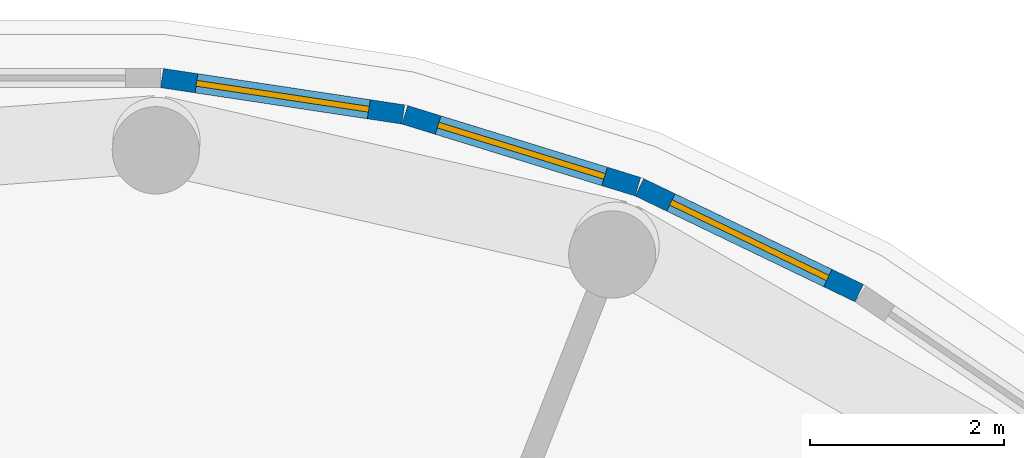
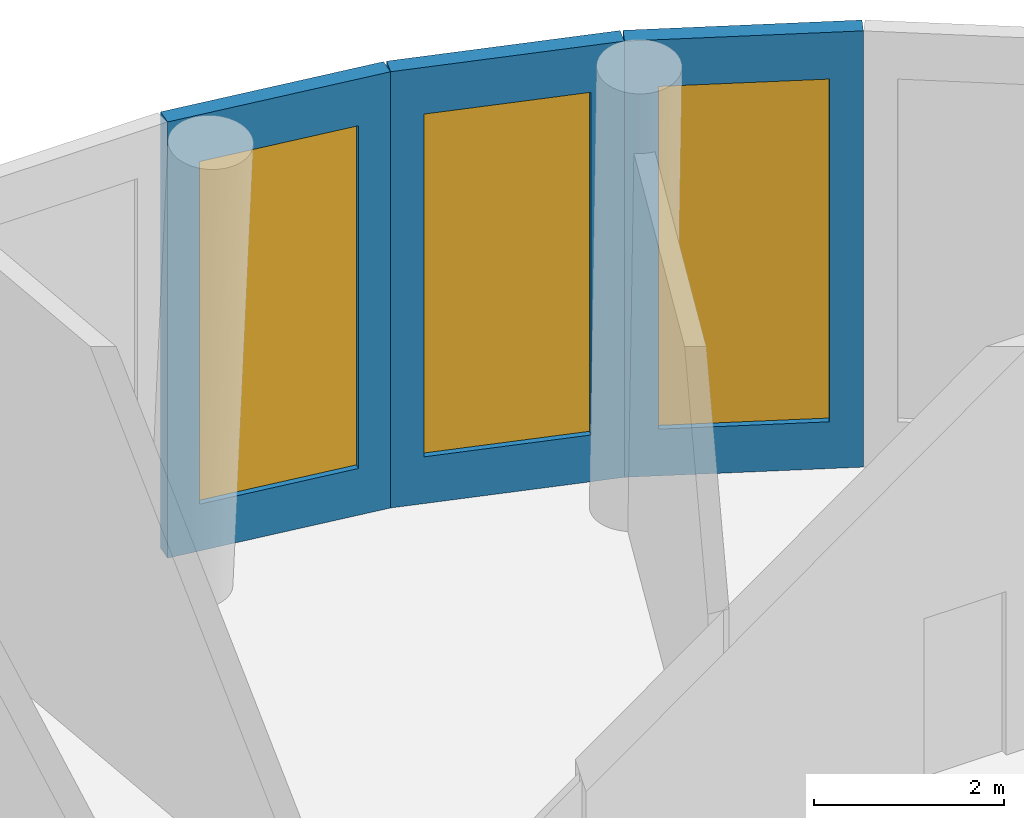
# One storey, part 5 of 6: 3 walls, 3 windows, 3 openings.
"""IFC4 building model written with IfcOpenShell, lengths in metres."""

from ifc_helpers import new_model, si_unit, direction, frame, frame_2d, origin, place, context, subcontext, project, spatial, rectangle, extrude, material, layer, layer_set, type_object, element, fill, save


model = new_model("IFC4")

# Units and contexts
model_context = context("Model", 3, precision=1e-05, world=origin(), true_north=direction((0.0, 1.0)))
body_context = subcontext(model_context, "Body", "Model", "MODEL_VIEW")
ifc_project = project(units=[si_unit("LENGTHUNIT", "METRE"), si_unit("AREAUNIT", "SQUARE_METRE"), si_unit("VOLUMEUNIT", "CUBIC_METRE"), si_unit("PLANEANGLEUNIT", "RADIAN"), si_unit("MASSUNIT", "GRAM", prefix="KILO")], contexts=[model_context])

# Site, building, storey
site_placement = place(None, origin())
site = spatial("IfcSite", under=ifc_project, at=site_placement, CompositionType="ELEMENT")
building_placement = place(site_placement, origin())
building = spatial("IfcBuilding", under=site, at=building_placement, Name="Tracery Tower", CompositionType="ELEMENT")
storey_placement = place(building_placement, frame((0.0, 0.0, 358.199951171875)))
storey = spatial("IfcBuildingStorey", under=building, at=storey_placement, Name="L91 Plant", CompositionType="ELEMENT", Elevation=358.199951171875)

# Wall, opening, window
ifc_material_1 = material(Name="Aluminium louvre, bronze anodised", Category="aluminium")
ifc_layer = layer(ifc_material_1, 0.199951171875)
ifc_layer_set = layer_set([ifc_layer], Name="Plant drum louvre wall 200")
wall_type = type_object("IfcWallType", Name="Plant drum louvre wall 200", PredefinedType="STANDARD", material=ifc_layer_set)
wall_1_placement = place(storey_placement, frame((8.478271484375, 14.701904296875, 0.0), z_axis=(0.0, 0.0, 1.0), x_axis=(-0.900994655578, 0.433830186387, 0.0)))
wall_1 = element("IfcWall", 1, at=wall_1_placement, inside=storey, type_object=wall_type, Name="Plant drum louvre wall 8", PredefinedType="STANDARD", context=body_context, shape_type="SweptSolid", body=[
    extrude(rectangle(XDim=2.51953125, YDim=0.199951171875, at=frame_2d((1.259765625, 0.0))), origin(), (0.0, 0.0, 1.0), 5.60009765625),
])
opening_1_placement = place(wall_1_placement, frame((0.35986328125, 0.0, 0.60009765625)))
opening_1 = element("IfcOpeningElement", 2, at=opening_1_placement, cuts=wall_1, Name="Opening EW848", PredefinedType="OPENING", context=body_context, shape_type="SweptSolid", body=[
    extrude(rectangle(XDim=1.800048828125, YDim=4.39990234375, at=frame_2d((0.89990234375, 2.199951171875))), frame((0.0, 0.10009765625, 0.0), z_axis=(0.0, -1.0, 0.0), x_axis=(1.0, 0.0, 0.0)), (0.0, 0.0, 1.0), 0.199951171875),
])
ifc_material_2 = material(Name="Aluminium louvre, bronze anodised", Category="aluminium")
window_type = type_object("IfcWindowType", Name="Plant drum louvre 1800 x 4400", PartitioningType="SINGLE_PANEL", PredefinedType="WINDOW", material=ifc_material_2)
window_1_placement = place(opening_1_placement, origin())
window_1 = element("IfcWindow", 3, at=window_1_placement, inside=storey, type_object=window_type, Name="Plant drum louvre EW848", OverallHeight=4.39990234375, OverallWidth=1.800048828125, PartitioningType="SINGLE_PANEL", PredefinedType="WINDOW", context=body_context, shape_type="SweptSolid", body=[
    extrude(rectangle(XDim=1.800048828125, YDim=4.39990234375, at=frame_2d((0.89990234375, 2.199951171875))), frame((0.0, 0.030029296875, 0.0), z_axis=(0.0, -1.0, 0.0), x_axis=(1.0, 0.0, 0.0)), (0.0, 0.0, 1.0), 0.06005859375),
])
fill(opening_1, window_1)

wall_2_placement = place(storey_placement, frame((6.1923828125, 15.80126953125, 0.0), z_axis=(0.0, 0.0, 1.0), x_axis=(-0.955573464233, 0.294753039769, 0.0)))
wall_2 = element("IfcWall", 4, at=wall_2_placement, inside=storey, type_object=wall_type, Name="Plant drum louvre wall 9", PredefinedType="STANDARD", context=body_context, shape_type="SweptSolid", body=[
    extrude(rectangle(XDim=2.519775390625, YDim=0.199951171875, at=frame_2d((1.259765625, 0.0))), origin(), (0.0, 0.0, 1.0), 5.60009765625),
])
opening_2_placement = place(wall_2_placement, frame((0.35986328125, 0.0, 0.60009765625)))
opening_2 = element("IfcOpeningElement", 5, at=opening_2_placement, cuts=wall_2, Name="Opening EW849", PredefinedType="OPENING", context=body_context, shape_type="SweptSolid", body=[
    extrude(rectangle(XDim=1.800048828125, YDim=4.39990234375, at=frame_2d((0.89990234375, 2.199951171875))), frame((0.0, 0.10009765625, 0.0), z_axis=(0.0, -1.0, 0.0), x_axis=(1.0, 0.0, 0.0)), (0.0, 0.0, 1.0), 0.199951171875),
])
window_2_placement = place(opening_2_placement, origin())
window_2 = element("IfcWindow", 6, at=window_2_placement, inside=storey, type_object=window_type, Name="Plant drum louvre EW849", OverallHeight=4.39990234375, OverallWidth=1.800048828125, PartitioningType="SINGLE_PANEL", PredefinedType="WINDOW", context=body_context, shape_type="SweptSolid", body=[
    extrude(rectangle(XDim=1.800048828125, YDim=4.39990234375, at=frame_2d((0.89990234375, 2.199951171875))), frame((0.0, 0.030029296875, 0.0), z_axis=(0.0, -1.0, 0.0), x_axis=(1.0, 0.0, 0.0)), (0.0, 0.0, 1.0), 0.06005859375),
])
fill(opening_2, window_2)

wall_3_placement = place(storey_placement, frame((3.768310546875, 16.547607421875, 0.0), z_axis=(0.0, 0.0, 1.0), x_axis=(-0.98883520928, 0.149013183605, 0.0)))
wall_3 = element("IfcWall", 7, at=wall_3_placement, inside=storey, type_object=wall_type, Name="Plant drum louvre wall 10", PredefinedType="STANDARD", context=body_context, shape_type="SweptSolid", body=[
    extrude(rectangle(XDim=2.519775390625, YDim=0.199951171875, at=frame_2d((1.259765625, 0.0))), origin(), (0.0, 0.0, 1.0), 5.60009765625),
])
opening_3_placement = place(wall_3_placement, frame((0.35986328125, 0.0, 0.60009765625)))
opening_3 = element("IfcOpeningElement", 8, at=opening_3_placement, cuts=wall_3, Name="Opening EW850", PredefinedType="OPENING", context=body_context, shape_type="SweptSolid", body=[
    extrude(rectangle(XDim=1.800048828125, YDim=4.39990234375, at=frame_2d((0.89990234375, 2.199951171875))), frame((0.0, 0.10009765625, 0.0), z_axis=(0.0, -1.0, 0.0), x_axis=(1.0, 0.0, 0.0)), (0.0, 0.0, 1.0), 0.199951171875),
])
window_3_placement = place(opening_3_placement, origin())
window_3 = element("IfcWindow", 9, at=window_3_placement, inside=storey, type_object=window_type, Name="Plant drum louvre EW850", OverallHeight=4.39990234375, OverallWidth=1.800048828125, PartitioningType="SINGLE_PANEL", PredefinedType="WINDOW", context=body_context, shape_type="SweptSolid", body=[
    extrude(rectangle(XDim=1.800048828125, YDim=4.39990234375, at=frame_2d((0.89990234375, 2.199951171875))), frame((0.0, 0.030029296875, 0.0), z_axis=(0.0, -1.0, 0.0), x_axis=(1.0, 0.0, 0.0)), (0.0, 0.0, 1.0), 0.06005859375),
])
fill(opening_3, window_3)

save(model, "model.ifc")
